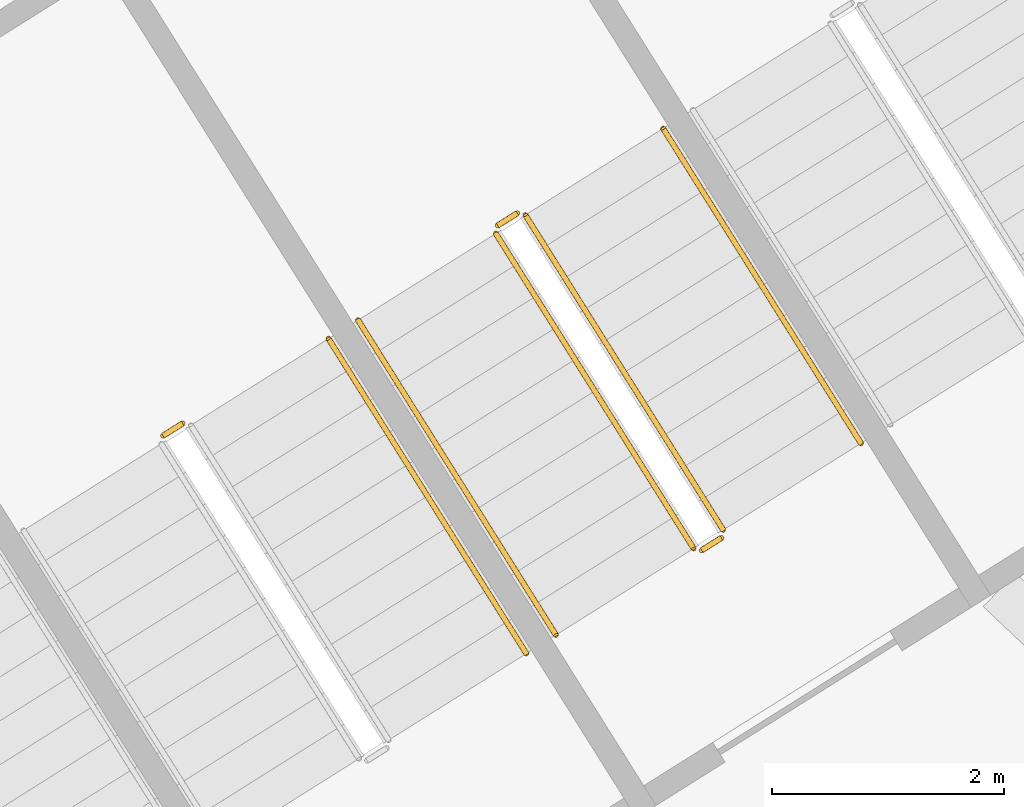
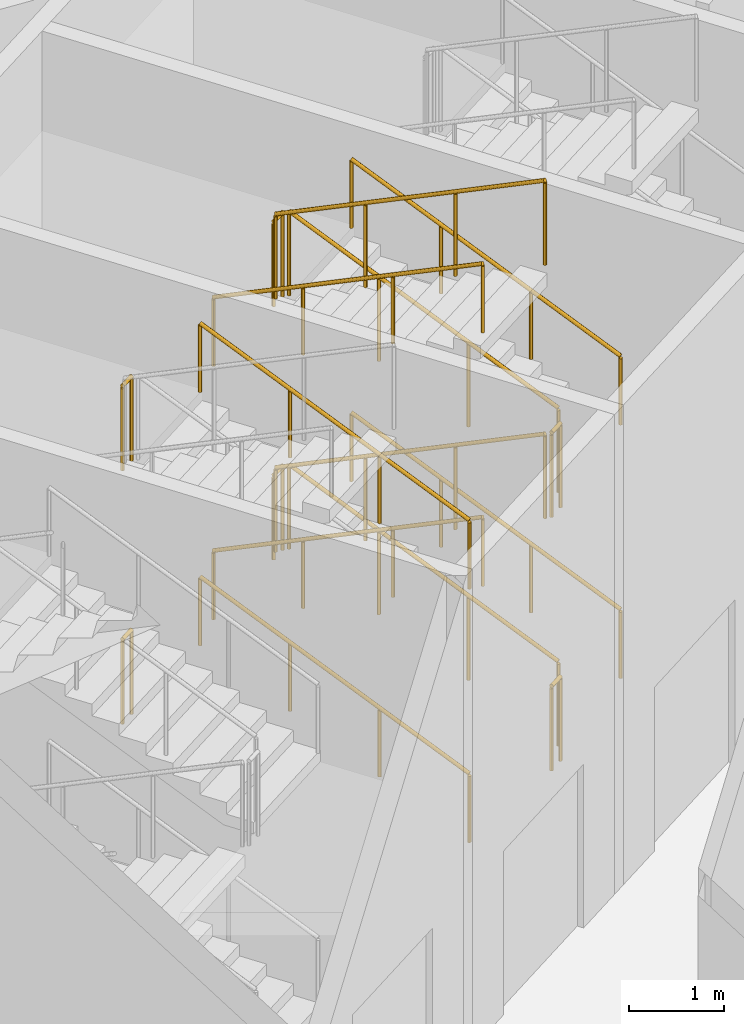
# One storey, part 233 of 255: 16 railings.
"""IFC4 building model written with IfcOpenShell, lengths in metres."""

from ifc_helpers import new_model, si_unit, direction, frame, origin, origin_2d, place, context, subcontext, project, spatial, circle, extrude, material, type_object, element, save


model = new_model("IFC4")

# Units and contexts
model_context = context("Model", 3, precision=1e-05, world=origin(), true_north=direction((0.0, 1.0)))
body_context = subcontext(model_context, "Body", "Model", "MODEL_VIEW")
ifc_project = project(units=[si_unit("LENGTHUNIT", "METRE"), si_unit("AREAUNIT", "SQUARE_METRE"), si_unit("VOLUMEUNIT", "CUBIC_METRE"), si_unit("PLANEANGLEUNIT", "RADIAN"), si_unit("MASSUNIT", "GRAM", prefix="KILO")], contexts=[model_context])

# Site, building, storey
site_placement = place(None, origin())
site = spatial("IfcSite", under=ifc_project, at=site_placement, CompositionType="ELEMENT")
building_placement = place(site_placement, origin())
building = spatial("IfcBuilding", under=site, at=building_placement, Name="Meseta Stadium", CompositionType="ELEMENT")
storey_placement = place(building_placement, origin())
storey = spatial("IfcBuildingStorey", under=building, at=storey_placement, Name="L00", CompositionType="ELEMENT", Elevation=0.0)

# Railings
ifc_material_1 = material(Name="Steel S355", Category="steel")
railing_type_1 = type_object("IfcRailingType", Name="Stair guard 1100", PredefinedType="GUARDRAIL", material=ifc_material_1)
railing_1_placement = place(storey_placement, frame((-67.3642578125, 87.47802734375, 0.147705078125)))
element("IfcRailing", 1, at=railing_1_placement, inside=storey, type_object=railing_type_1, Name="ST50 L00 guard 1", PredefinedType="GUARDRAIL", context=body_context, shape_type="SweptSolid", body=[
    extrude(circle(Radius=0.02392578125, at=origin_2d()), frame((0.0, 0.0, 1.076171875), z_axis=(-0.483022933061, 0.76876358972, 0.419155566894), x_axis=(-0.846735733015, -0.532013720158, 0.0)), (0.0, 0.0, 1.0), 3.5244140625),
    extrude(circle(Radius=0.02099609375, at=origin_2d()), origin(), (0.0, 0.0, 1.0), 1.052001953125),
    extrude(circle(Radius=0.02099609375, at=origin_2d()), frame((-0.5673828125, 0.903076171875, 0.492431640625)), (0.0, 0.0, 1.0), 1.052001953125),
    extrude(circle(Radius=0.02099609375, at=origin_2d()), frame((-1.135009765625, 1.806396484375, 0.98486328125)), (0.0, 0.0, 1.0), 1.052001953125),
    extrude(circle(Radius=0.02099609375, at=origin_2d()), frame((-1.702392578125, 2.70947265625, 1.477294921875)), (0.0, 0.0, 1.0), 1.052001953125),
])
railing_2_placement = place(storey_placement, frame((-69.135498046875, 90.203369140625, 1.625)))
element("IfcRailing", 2, at=railing_2_placement, inside=storey, type_object=railing_type_1, Name="ST50 L00 guard 2", PredefinedType="GUARDRAIL", context=body_context, shape_type="SweptSolid", body=[
    extrude(circle(Radius=0.02392578125, at=origin_2d()), frame((0.0, 0.0, 1.076171875), z_axis=(-0.846762178531, -0.531971628011, 0.0), x_axis=(0.531971628011, -0.846762178531, 0.0)), (0.0, 0.0, 1.0), 0.2001953125),
    extrude(circle(Radius=0.02099609375, at=origin_2d()), origin(), (0.0, 0.0, 1.0), 1.052001953125),
    extrude(circle(Radius=0.02099609375, at=origin_2d()), frame((-0.16943359375, -0.1064453125, 0.0)), (0.0, 0.0, 1.0), 1.052001953125),
])
railing_3_placement = place(storey_placement, frame((-69.320556640625, 90.028076171875, 1.772705078125)))
element("IfcRailing", 3, at=railing_3_placement, inside=storey, type_object=railing_type_1, Name="ST50 L00 guard 3", PredefinedType="GUARDRAIL", context=body_context, shape_type="SweptSolid", body=[
    extrude(circle(Radius=0.02392578125, at=origin_2d()), frame((0.0, 0.0, 1.076171875), z_axis=(0.482997211726, -0.768791919252, 0.419133246544), x_axis=(0.846757325705, 0.531979352387, 0.0)), (0.0, 0.0, 1.0), 3.524658203125),
    extrude(circle(Radius=0.02099609375, at=origin_2d()), origin(), (0.0, 0.0, 1.0), 1.052001953125),
    extrude(circle(Radius=0.02099609375, at=origin_2d()), frame((0.5673828125, -0.9033203125, 0.492431640625)), (0.0, 0.0, 1.0), 1.052001953125),
    extrude(circle(Radius=0.02099609375, at=origin_2d()), frame((1.135009765625, -1.806396484375, 0.98486328125)), (0.0, 0.0, 1.0), 1.052001953125),
    extrude(circle(Radius=0.02099609375, at=origin_2d()), frame((1.702392578125, -2.709716796875, 1.477294921875)), (0.0, 0.0, 1.0), 1.052001953125),
])
railing_4_placement = place(storey_placement, frame((-67.3798828125, 87.4091796875, 3.25)))
element("IfcRailing", 4, at=railing_4_placement, inside=storey, type_object=railing_type_1, Name="ST50 L00 guard 4", PredefinedType="GUARDRAIL", context=body_context, shape_type="SweptSolid", body=[
    extrude(circle(Radius=0.02392578125, at=origin_2d()), frame((0.0, 0.0, 1.076171875), z_axis=(-0.846762178531, -0.531971628011, 0.0), x_axis=(0.531971628011, -0.846762178531, 0.0)), (0.0, 0.0, 1.0), 0.2001953125),
    extrude(circle(Radius=0.02099609375, at=origin_2d()), origin(), (0.0, 0.0, 1.0), 1.052001953125),
    extrude(circle(Radius=0.02099609375, at=origin_2d()), frame((-0.16943359375, -0.1064453125, 0.0)), (0.0, 0.0, 1.0), 1.052001953125),
])
railing_5_placement = place(storey_placement, frame((-67.3642578125, 87.47802734375, 3.397705078125)))
element("IfcRailing", 5, at=railing_5_placement, inside=storey, type_object=railing_type_1, Name="ST50 L00 guard 5", PredefinedType="GUARDRAIL", context=body_context, shape_type="SweptSolid", body=[
    extrude(circle(Radius=0.02392578125, at=origin_2d()), frame((0.0, 0.0, 1.076171875), z_axis=(-0.483022933061, 0.76876358972, 0.419155566894), x_axis=(-0.846735733015, -0.532013720158, 0.0)), (0.0, 0.0, 1.0), 3.5244140625),
    extrude(circle(Radius=0.02099609375, at=origin_2d()), origin(), (0.0, 0.0, 1.0), 1.052001953125),
    extrude(circle(Radius=0.02099609375, at=origin_2d()), frame((-0.5673828125, 0.903076171875, 0.492431640625)), (0.0, 0.0, 1.0), 1.052001953125),
    extrude(circle(Radius=0.02099609375, at=origin_2d()), frame((-1.135009765625, 1.806396484375, 0.98486328125)), (0.0, 0.0, 1.0), 1.052001953125),
    extrude(circle(Radius=0.02099609375, at=origin_2d()), frame((-1.702392578125, 2.70947265625, 1.477294921875)), (0.0, 0.0, 1.0), 1.052001953125),
])
railing_6_placement = place(storey_placement, frame((-69.135498046875, 90.203369140625, 4.875)))
element("IfcRailing", 6, at=railing_6_placement, inside=storey, type_object=railing_type_1, Name="ST50 L00 guard 6", PredefinedType="GUARDRAIL", context=body_context, shape_type="SweptSolid", body=[
    extrude(circle(Radius=0.02392578125, at=origin_2d()), frame((0.0, 0.0, 1.076171875), z_axis=(-0.846762178531, -0.531971628011, 0.0), x_axis=(0.531971628011, -0.846762178531, 0.0)), (0.0, 0.0, 1.0), 0.2001953125),
    extrude(circle(Radius=0.02099609375, at=origin_2d()), origin(), (0.0, 0.0, 1.0), 1.052001953125),
    extrude(circle(Radius=0.02099609375, at=origin_2d()), frame((-0.16943359375, -0.1064453125, 0.0)), (0.0, 0.0, 1.0), 1.052001953125),
])
railing_7_placement = place(storey_placement, frame((-69.320556640625, 90.028076171875, 5.022705078125)))
element("IfcRailing", 7, at=railing_7_placement, inside=storey, type_object=railing_type_1, Name="ST50 L00 guard 7", PredefinedType="GUARDRAIL", context=body_context, shape_type="SweptSolid", body=[
    extrude(circle(Radius=0.02392578125, at=origin_2d()), frame((0.0, 0.0, 1.076171875), z_axis=(0.482997211726, -0.768791919252, 0.419133246544), x_axis=(0.846757325705, 0.531979352387, 0.0)), (0.0, 0.0, 1.0), 3.524658203125),
    extrude(circle(Radius=0.02099609375, at=origin_2d()), origin(), (0.0, 0.0, 1.0), 1.052001953125),
    extrude(circle(Radius=0.02099609375, at=origin_2d()), frame((0.5673828125, -0.9033203125, 0.492431640625)), (0.0, 0.0, 1.0), 1.052001953125),
    extrude(circle(Radius=0.02099609375, at=origin_2d()), frame((1.135009765625, -1.806396484375, 0.98486328125)), (0.0, 0.0, 1.0), 1.052001953125),
    extrude(circle(Radius=0.02099609375, at=origin_2d()), frame((1.702392578125, -2.709716796875, 1.477294921875)), (0.0, 0.0, 1.0), 1.052001953125),
])
for number, where, name in (
    (8, (-67.3798828125, 87.4091796875, 0.0), "ST50 L00 guard 8"),
    (9, (-72.014404296875, 88.39453125, 1.625), "ST51 L00 guard 2"),
    (10, (-72.014404296875, 88.39453125, 4.875), "ST51 L00 guard 6"),
):
    element("IfcRailing", number, at=place(storey_placement, frame(where)), inside=storey, type_object=railing_type_1, Name=name, PredefinedType="GUARDRAIL", context=body_context, shape_type="SweptSolid", body=[
        extrude(circle(Radius=0.02392578125, at=origin_2d()), frame((0.0, 0.0, 1.076171875), z_axis=(-0.846762178531, -0.531971628011, 0.0), x_axis=(0.531971628011, -0.846762178531, 0.0)), (0.0, 0.0, 1.0), 0.2001953125),
        extrude(circle(Radius=0.02099609375, at=origin_2d()), origin(), (0.0, 0.0, 1.0), 1.052001953125),
        extrude(circle(Radius=0.02099609375, at=origin_2d()), frame((-0.16943359375, -0.1064453125, 0.0)), (0.0, 0.0, 1.0), 1.052001953125),
    ])
ifc_material_2 = material(Name="Steel S355", Category="steel")
railing_type_2 = type_object("IfcRailingType", Name="Stair handrail 900", PredefinedType="HANDRAIL", material=ifc_material_2)
railing_8_placement = place(storey_placement, frame((-66.1787109375, 88.222900390625, 0.147705078125)))
element("IfcRailing", 11, at=railing_8_placement, inside=storey, type_object=railing_type_2, Name="ST50 L00 handrail 1", PredefinedType="HANDRAIL", context=body_context, shape_type="SweptSolid", body=[
    extrude(circle(Radius=0.02392578125, at=origin_2d()), frame((0.0, 0.0, 0.8759765625), z_axis=(-0.483076039287, 0.768737866935, 0.419141541973), x_axis=(-0.84670136309, -0.53206841829, 0.0)), (0.0, 0.0, 1.0), 3.524658203125),
    extrude(circle(Radius=0.02099609375, at=origin_2d()), origin(), (0.0, 0.0, 1.0), 0.851806640625),
    extrude(circle(Radius=0.02099609375, at=origin_2d()), frame((-0.567626953125, 0.903076171875, 0.492431640625)), (0.0, 0.0, 1.0), 0.851806640625),
    extrude(circle(Radius=0.02099609375, at=origin_2d()), frame((-1.135009765625, 1.806396484375, 0.98486328125)), (0.0, 0.0, 1.0), 0.851806640625),
    extrude(circle(Radius=0.02099609375, at=origin_2d()), frame((-1.70263671875, 2.70947265625, 1.477294921875)), (0.0, 0.0, 1.0), 0.851806640625),
])
railing_9_placement = place(storey_placement, frame((-70.506103515625, 89.283203125, 1.772705078125)))
element("IfcRailing", 12, at=railing_9_placement, inside=storey, type_object=railing_type_2, Name="ST50 L00 handrail 2", PredefinedType="HANDRAIL", context=body_context, shape_type="SweptSolid", body=[
    extrude(circle(Radius=0.02392578125, at=origin_2d()), frame((0.0, 0.0, 0.8759765625), z_axis=(0.483076039287, -0.768737866935, 0.419141541973), x_axis=(0.84670136309, 0.53206841829, 0.0)), (0.0, 0.0, 1.0), 3.524658203125),
    extrude(circle(Radius=0.02099609375, at=origin_2d()), origin(), (0.0, 0.0, 1.0), 0.851806640625),
    extrude(circle(Radius=0.02099609375, at=origin_2d()), frame((0.567626953125, -0.903076171875, 0.492431640625)), (0.0, 0.0, 1.0), 0.851806640625),
    extrude(circle(Radius=0.02099609375, at=origin_2d()), frame((1.135009765625, -1.806396484375, 0.98486328125)), (0.0, 0.0, 1.0), 0.851806640625),
    extrude(circle(Radius=0.02099609375, at=origin_2d()), frame((1.70263671875, -2.70947265625, 1.477294921875)), (0.0, 0.0, 1.0), 0.851806640625),
])
railing_10_placement = place(storey_placement, frame((-66.1787109375, 88.222900390625, 3.397705078125)))
element("IfcRailing", 13, at=railing_10_placement, inside=storey, type_object=railing_type_2, Name="ST50 L00 handrail 3", PredefinedType="HANDRAIL", context=body_context, shape_type="SweptSolid", body=[
    extrude(circle(Radius=0.02392578125, at=origin_2d()), frame((0.0, 0.0, 0.8759765625), z_axis=(-0.483076039287, 0.768737866935, 0.419141541973), x_axis=(-0.84670136309, -0.53206841829, 0.0)), (0.0, 0.0, 1.0), 3.524658203125),
    extrude(circle(Radius=0.02099609375, at=origin_2d()), origin(), (0.0, 0.0, 1.0), 0.851806640625),
    extrude(circle(Radius=0.02099609375, at=origin_2d()), frame((-0.567626953125, 0.903076171875, 0.492431640625)), (0.0, 0.0, 1.0), 0.851806640625),
    extrude(circle(Radius=0.02099609375, at=origin_2d()), frame((-1.135009765625, 1.806396484375, 0.98486328125)), (0.0, 0.0, 1.0), 0.851806640625),
    extrude(circle(Radius=0.02099609375, at=origin_2d()), frame((-1.70263671875, 2.70947265625, 1.477294921875)), (0.0, 0.0, 1.0), 0.851806640625),
])
railing_11_placement = place(storey_placement, frame((-70.506103515625, 89.283203125, 5.022705078125)))
element("IfcRailing", 14, at=railing_11_placement, inside=storey, type_object=railing_type_2, Name="ST50 L00 handrail 4", PredefinedType="HANDRAIL", context=body_context, shape_type="SweptSolid", body=[
    extrude(circle(Radius=0.02392578125, at=origin_2d()), frame((0.0, 0.0, 0.8759765625), z_axis=(0.483076039287, -0.768737866935, 0.419141541973), x_axis=(0.84670136309, 0.53206841829, 0.0)), (0.0, 0.0, 1.0), 3.524658203125),
    extrude(circle(Radius=0.02099609375, at=origin_2d()), origin(), (0.0, 0.0, 1.0), 0.851806640625),
    extrude(circle(Radius=0.02099609375, at=origin_2d()), frame((0.567626953125, -0.903076171875, 0.492431640625)), (0.0, 0.0, 1.0), 0.851806640625),
    extrude(circle(Radius=0.02099609375, at=origin_2d()), frame((1.135009765625, -1.806396484375, 0.98486328125)), (0.0, 0.0, 1.0), 0.851806640625),
    extrude(circle(Radius=0.02099609375, at=origin_2d()), frame((1.70263671875, -2.70947265625, 1.477294921875)), (0.0, 0.0, 1.0), 0.851806640625),
])
for number, where, name in (
    (15, (-69.0576171875, 86.4140625, 0.147705078125), "ST51 L00 handrail 1"),
    (16, (-69.0576171875, 86.4140625, 3.397705078125), "ST51 L00 handrail 3"),
):
    element("IfcRailing", number, at=place(storey_placement, frame(where)), inside=storey, type_object=railing_type_2, Name=name, PredefinedType="HANDRAIL", context=body_context, shape_type="SweptSolid", body=[
        extrude(circle(Radius=0.02392578125, at=origin_2d()), frame((0.0, 0.0, 0.8759765625), z_axis=(-0.483022933061, 0.76876358972, 0.419155566894), x_axis=(-0.846735733015, -0.532013720158, 0.0)), (0.0, 0.0, 1.0), 3.5244140625),
        extrude(circle(Radius=0.02099609375, at=origin_2d()), origin(), (0.0, 0.0, 1.0), 0.851806640625),
        extrude(circle(Radius=0.02099609375, at=origin_2d()), frame((-0.5673828125, 0.903076171875, 0.492431640625)), (0.0, 0.0, 1.0), 0.851806640625),
        extrude(circle(Radius=0.02099609375, at=origin_2d()), frame((-1.135009765625, 1.806396484375, 0.98486328125)), (0.0, 0.0, 1.0), 0.851806640625),
        extrude(circle(Radius=0.02099609375, at=origin_2d()), frame((-1.702392578125, 2.70947265625, 1.477294921875)), (0.0, 0.0, 1.0), 0.851806640625),
    ])

save(model, "model.ifc")
